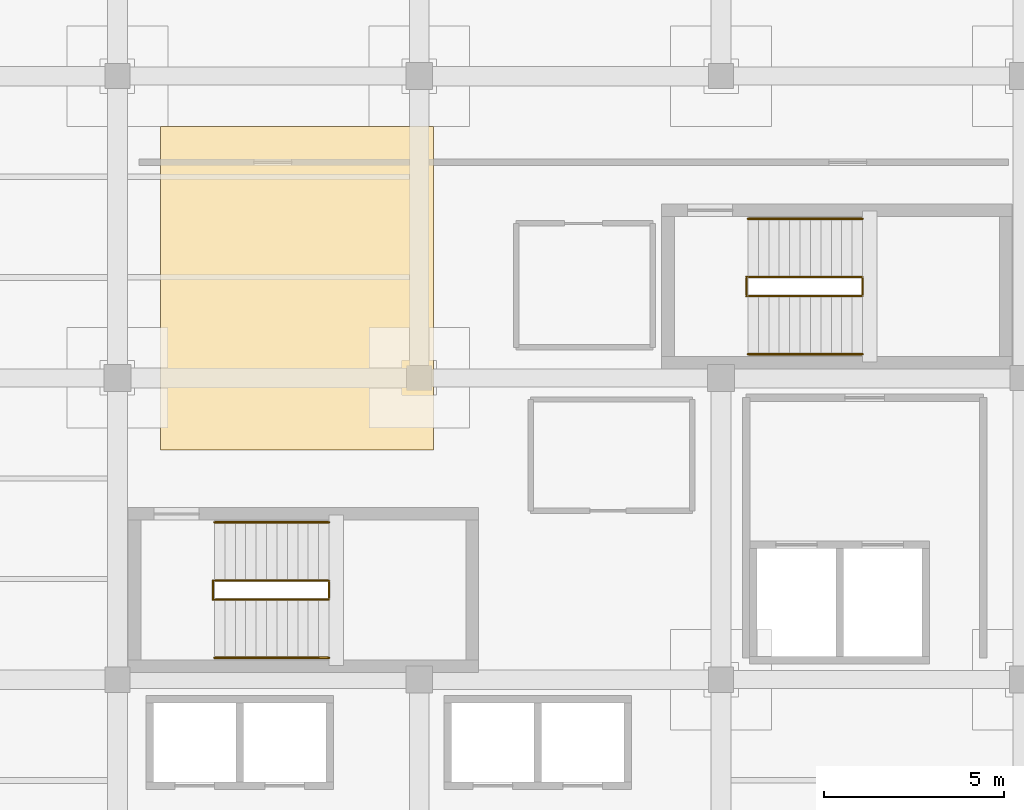
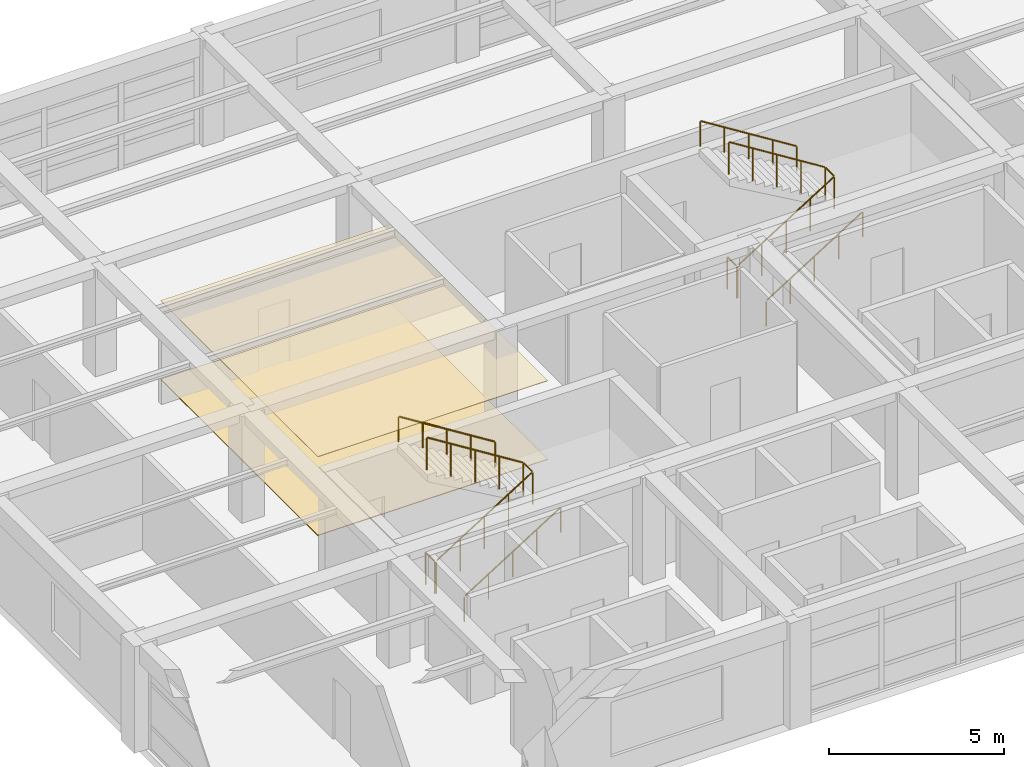
# One storey, part 26 of 26: 8 railings, 2 coverings.
"""IFC4 building model written with IfcOpenShell, lengths in metres."""

from ifc_helpers import new_model, si_unit, direction, frame, origin, origin_2d, place, context, subcontext, project, spatial, polyline, circle, outline, extrude, material, layer, layer_set, type_object, element, save


model = new_model("IFC4")

# Units and contexts
model_context = context("Model", 3, precision=1e-05, world=origin(), true_north=direction((0.0, 1.0)))
body_context = subcontext(model_context, "Body", "Model", "MODEL_VIEW")
ifc_project = project(units=[si_unit("LENGTHUNIT", "METRE"), si_unit("AREAUNIT", "SQUARE_METRE"), si_unit("VOLUMEUNIT", "CUBIC_METRE"), si_unit("PLANEANGLEUNIT", "RADIAN"), si_unit("MASSUNIT", "GRAM", prefix="KILO")], contexts=[model_context])

# Site, building, storey
site_placement = place(None, origin())
site = spatial("IfcSite", under=ifc_project, at=site_placement, CompositionType="ELEMENT")
building_placement = place(site_placement, origin())
building = spatial("IfcBuilding", under=site, at=building_placement, Name="Almacenes y Pasaje Nevantli", CompositionType="ELEMENT")
storey_placement = place(building_placement, frame((0.0, 0.0, 30.699951171875)))
storey = spatial("IfcBuildingStorey", under=building, at=storey_placement, Name="L07", CompositionType="ELEMENT", Elevation=30.699951171875)

# Coverings
ifc_material_1 = material(Name="Perforated Acoustic Mineral Fiber Ceiling", Category="gypsum")
ifc_layer_1 = layer(ifc_material_1, 0.02001953125)
ifc_layer_set_1 = layer_set([ifc_layer_1], Name="Perforated Acoustic Mineral Fiber Ceiling")
covering_type_1 = type_object("IfcCoveringType", Name="COV-CEIL-ACU", PredefinedType="CEILING", material=ifc_layer_set_1)
covering_1_placement = place(storey_placement, frame((0.0, 0.0, 2.75)))
element("IfcCovering", 1, at=covering_1_placement, inside=storey, type_object=covering_type_1, Name="L07 Suspended Acoustic Ceiling Panel", PredefinedType="CEILING", context=body_context, shape_type="SweptSolid", body=[
    extrude(outline(polyline([(118.800048828125, 82.0), (126.39990234375, 82.0), (126.39990234375, 91.0), (118.800048828125, 91.0), (118.800048828125, 82.0)])), origin(), (0.0, 0.0, 1.0), 0.02001953125),
])
ifc_material_2 = material(Name="Polished Toluca Stone Terrazzo Flooring", Category="masonry")
ifc_layer_2 = layer(ifc_material_2, 0.02490234375)
ifc_layer_set_2 = layer_set([ifc_layer_2], Name="Polished Toluca Stone Terrazzo Flooring")
covering_type_2 = type_object("IfcCoveringType", Name="COV-FLR-TERRAZZO", PredefinedType="FLOORING", material=ifc_layer_set_2)
covering_2_placement = place(storey_placement, origin())
element("IfcCovering", 2, at=covering_2_placement, inside=storey, type_object=covering_type_2, Name="L07 Polished Stone Terrazzo Floor Finish", PredefinedType="FLOORING", context=body_context, shape_type="SweptSolid", body=[
    extrude(outline(polyline([(118.800048828125, 82.0), (126.39990234375, 82.0), (126.39990234375, 91.0), (118.800048828125, 91.0), (118.800048828125, 82.0)])), origin(), (0.0, 0.0, 1.0), 0.025146484375),
])

# Railings
ifc_material_3 = material(Name="Brushed Stainless Steel and Tempered Safety Glass", Category="steel")
railing_type_1 = type_object("IfcRailingType", Name="RL-GUARD-1100", PredefinedType="BALUSTRADE", material=ifc_material_3)
railing_1_placement = place(storey_placement, frame((120.300048828125, 77.830078125, 0.0)))
element("IfcRailing", 3, at=railing_1_placement, inside=storey, type_object=railing_type_1, Name="L07 Stair ST-01 Inner Well Guard Balustrade", PredefinedType="BALUSTRADE", context=body_context, shape_type="SweptSolid", body=[
    extrude(circle(Radius=0.02392578125, at=origin_2d()), frame((0.025390625, 0.0, 1.141845703125), z_axis=(0.847247016309, 0.0, 0.531199108955), x_axis=(0.0, 1.0, 0.0)), (0.0, 0.0, 1.0), 3.705078125),
    extrude(circle(Radius=0.02392578125, at=origin_2d()), frame((3.18994140625, 0.030029296875, 3.1259765625), z_axis=(0.0, 1.0, 0.0), x_axis=(-1.0, 0.0, 0.0)), (0.0, 0.0, 1.0), 0.469970703125),
    extrude(circle(Radius=0.02392578125, at=origin_2d()), frame((3.16455078125, 0.530029296875, 3.141845703125), z_axis=(-0.847247016309, 0.0, 0.531199108955), x_axis=(0.0, -1.0, 0.0)), (0.0, 0.0, 1.0), 3.705078125),
    extrude(circle(Radius=0.02099609375, at=origin_2d()), origin(), (0.0, 0.0, 1.0), 1.096923828125),
    extrude(circle(Radius=0.02099609375, at=origin_2d()), frame((0.79736328125, 0.0, 0.5)), (0.0, 0.0, 1.0), 1.096923828125),
    extrude(circle(Radius=0.02099609375, at=origin_2d()), frame((1.594970703125, 0.0, 1.0)), (0.0, 0.0, 1.0), 1.096923828125),
    extrude(circle(Radius=0.02099609375, at=origin_2d()), frame((2.392578125, 0.0, 1.5)), (0.0, 0.0, 1.0), 1.096923828125),
    extrude(circle(Radius=0.02099609375, at=origin_2d()), frame((3.18994140625, 0.0, 2.0)), (0.0, 0.0, 1.0), 1.096923828125),
    extrude(circle(Radius=0.02099609375, at=origin_2d()), frame((3.18994140625, 0.530029296875, 2.0)), (0.0, 0.0, 1.0), 1.096923828125),
    extrude(circle(Radius=0.02099609375, at=origin_2d()), frame((2.392578125, 0.530029296875, 2.5)), (0.0, 0.0, 1.0), 1.096923828125),
    extrude(circle(Radius=0.02099609375, at=origin_2d()), frame((1.594970703125, 0.530029296875, 3.0)), (0.0, 0.0, 1.0), 1.096923828125),
    extrude(circle(Radius=0.02099609375, at=origin_2d()), frame((0.79736328125, 0.530029296875, 3.5)), (0.0, 0.0, 1.0), 1.096923828125),
    extrude(circle(Radius=0.02099609375, at=origin_2d()), frame((0.0, 0.530029296875, 4.0)), (0.0, 0.0, 1.0), 1.096923828125),
])
railing_2_placement = place(storey_placement, frame((120.260009765625, 77.830078125, 0.0)))
element("IfcRailing", 4, at=railing_2_placement, inside=storey, type_object=railing_type_1, Name="L07 Stair ST-01 Landing Well Slot Guard", PredefinedType="BALUSTRADE", context=body_context, shape_type="SweptSolid", body=[
    extrude(circle(Radius=0.02392578125, at=origin_2d()), frame((0.0, 0.030029296875, 1.1259765625), z_axis=(0.0, 1.0, 0.0), x_axis=(-1.0, 0.0, 0.0)), (0.0, 0.0, 1.0), 0.469970703125),
    extrude(circle(Radius=0.02099609375, at=origin_2d()), origin(), (0.0, 0.0, 1.0), 1.096923828125),
    extrude(circle(Radius=0.02099609375, at=origin_2d()), frame((0.0, 0.530029296875, 0.0)), (0.0, 0.0, 1.0), 1.096923828125),
])
railing_3_placement = place(storey_placement, frame((135.14990234375, 86.280029296875, 0.0)))
element("IfcRailing", 5, at=railing_3_placement, inside=storey, type_object=railing_type_1, Name="L07 Stair ST-02 Inner Well Guard Balustrade", PredefinedType="BALUSTRADE", context=body_context, shape_type="SweptSolid", body=[
    extrude(circle(Radius=0.02392578125, at=origin_2d()), frame((0.025390625, 0.0, 1.141845703125), z_axis=(0.847265311894, 0.0, 0.531169926918), x_axis=(0.0, 1.0, 0.0)), (0.0, 0.0, 1.0), 3.705322265625),
    extrude(circle(Radius=0.02392578125, at=origin_2d()), frame((3.190185546875, 0.030029296875, 3.1259765625), z_axis=(0.0, 1.0, 0.0), x_axis=(-1.0, 0.0, 0.0)), (0.0, 0.0, 1.0), 0.469970703125),
    extrude(circle(Radius=0.02392578125, at=origin_2d()), frame((3.164794921875, 0.530029296875, 3.141845703125), z_axis=(-0.847265311894, 0.0, 0.531169926918), x_axis=(0.0, -1.0, 0.0)), (0.0, 0.0, 1.0), 3.705322265625),
    extrude(circle(Radius=0.02099609375, at=origin_2d()), origin(), (0.0, 0.0, 1.0), 1.096923828125),
    extrude(circle(Radius=0.02099609375, at=origin_2d()), frame((0.797607421875, 0.0, 0.5)), (0.0, 0.0, 1.0), 1.096923828125),
    extrude(circle(Radius=0.02099609375, at=origin_2d()), frame((1.59521484375, 0.0, 1.0)), (0.0, 0.0, 1.0), 1.096923828125),
    extrude(circle(Radius=0.02099609375, at=origin_2d()), frame((2.392578125, 0.0, 1.5)), (0.0, 0.0, 1.0), 1.096923828125),
    extrude(circle(Radius=0.02099609375, at=origin_2d()), frame((3.190185546875, 0.0, 2.0)), (0.0, 0.0, 1.0), 1.096923828125),
    extrude(circle(Radius=0.02099609375, at=origin_2d()), frame((3.190185546875, 0.530029296875, 2.0)), (0.0, 0.0, 1.0), 1.096923828125),
    extrude(circle(Radius=0.02099609375, at=origin_2d()), frame((2.392578125, 0.530029296875, 2.5)), (0.0, 0.0, 1.0), 1.096923828125),
    extrude(circle(Radius=0.02099609375, at=origin_2d()), frame((1.59521484375, 0.530029296875, 3.0)), (0.0, 0.0, 1.0), 1.096923828125),
    extrude(circle(Radius=0.02099609375, at=origin_2d()), frame((0.797607421875, 0.530029296875, 3.5)), (0.0, 0.0, 1.0), 1.096923828125),
    extrude(circle(Radius=0.02099609375, at=origin_2d()), frame((0.0, 0.530029296875, 4.0)), (0.0, 0.0, 1.0), 1.096923828125),
])
railing_4_placement = place(storey_placement, frame((135.110107421875, 86.280029296875, 0.0)))
element("IfcRailing", 6, at=railing_4_placement, inside=storey, type_object=railing_type_1, Name="L07 Stair ST-02 Landing Well Slot Guard", PredefinedType="BALUSTRADE", context=body_context, shape_type="SweptSolid", body=[
    extrude(circle(Radius=0.02392578125, at=origin_2d()), frame((0.0, 0.030029296875, 1.1259765625), z_axis=(0.0, 1.0, 0.0), x_axis=(-1.0, 0.0, 0.0)), (0.0, 0.0, 1.0), 0.469970703125),
    extrude(circle(Radius=0.02099609375, at=origin_2d()), origin(), (0.0, 0.0, 1.0), 1.096923828125),
    extrude(circle(Radius=0.02099609375, at=origin_2d()), frame((0.0, 0.530029296875, 0.0)), (0.0, 0.0, 1.0), 1.096923828125),
])
ifc_material_4 = material(Name="Brushed Stainless Steel Tube", Category="steel")
railing_type_2 = type_object("IfcRailingType", Name="RL-HANDRAIL-900", PredefinedType="HANDRAIL", material=ifc_material_4)
railing_5_placement = place(storey_placement, frame((120.300048828125, 76.2099609375, 0.0)))
element("IfcRailing", 7, at=railing_5_placement, inside=storey, type_object=railing_type_2, Name="L07 Stair ST-01 Lower Flight Handrail", PredefinedType="HANDRAIL", context=body_context, shape_type="SweptSolid", body=[
    extrude(circle(Radius=0.02392578125, at=origin_2d()), frame((0.025390625, 0.0, 0.891845703125), z_axis=(0.847247016309, 0.0, 0.531199108955), x_axis=(0.0, 1.0, 0.0)), (0.0, 0.0, 1.0), 3.705078125),
    extrude(circle(Radius=0.02099609375, at=origin_2d()), origin(), (0.0, 0.0, 1.0), 0.846923828125),
    extrude(circle(Radius=0.02099609375, at=origin_2d()), frame((0.79736328125, 0.0, 0.5)), (0.0, 0.0, 1.0), 0.846923828125),
    extrude(circle(Radius=0.02099609375, at=origin_2d()), frame((1.594970703125, 0.0, 1.0)), (0.0, 0.0, 1.0), 0.846923828125),
    extrude(circle(Radius=0.02099609375, at=origin_2d()), frame((2.392578125, 0.0, 1.5)), (0.0, 0.0, 1.0), 0.846923828125),
    extrude(circle(Radius=0.02099609375, at=origin_2d()), frame((3.18994140625, 0.0, 2.0)), (0.0, 0.0, 1.0), 0.846923828125),
])
railing_6_placement = place(storey_placement, frame((123.489990234375, 79.97998046875, 2.0)))
element("IfcRailing", 8, at=railing_6_placement, inside=storey, type_object=railing_type_2, Name="L07 Stair ST-01 Upper Flight Handrail", PredefinedType="HANDRAIL", context=body_context, shape_type="SweptSolid", body=[
    extrude(circle(Radius=0.02392578125, at=origin_2d()), frame((-0.025390625, 0.0, 0.891845703125), z_axis=(-0.847247016309, 0.0, 0.531199108955), x_axis=(0.0, -1.0, 0.0)), (0.0, 0.0, 1.0), 3.705078125),
    extrude(circle(Radius=0.02099609375, at=origin_2d()), origin(), (0.0, 0.0, 1.0), 0.846923828125),
    extrude(circle(Radius=0.02099609375, at=origin_2d()), frame((-0.79736328125, 0.0, 0.5)), (0.0, 0.0, 1.0), 0.846923828125),
    extrude(circle(Radius=0.02099609375, at=origin_2d()), frame((-1.594970703125, 0.0, 1.0)), (0.0, 0.0, 1.0), 0.846923828125),
    extrude(circle(Radius=0.02099609375, at=origin_2d()), frame((-2.392578125, 0.0, 1.5)), (0.0, 0.0, 1.0), 0.846923828125),
    extrude(circle(Radius=0.02099609375, at=origin_2d()), frame((-3.18994140625, 0.0, 2.0)), (0.0, 0.0, 1.0), 0.846923828125),
])
railing_7_placement = place(storey_placement, frame((135.14990234375, 84.659912109375, 0.0)))
element("IfcRailing", 9, at=railing_7_placement, inside=storey, type_object=railing_type_2, Name="L07 Stair ST-02 Lower Flight Handrail", PredefinedType="HANDRAIL", context=body_context, shape_type="SweptSolid", body=[
    extrude(circle(Radius=0.02392578125, at=origin_2d()), frame((0.025390625, 0.0, 0.891845703125), z_axis=(0.847265311894, 0.0, 0.531169926918), x_axis=(0.0, 1.0, 0.0)), (0.0, 0.0, 1.0), 3.705322265625),
    extrude(circle(Radius=0.02099609375, at=origin_2d()), origin(), (0.0, 0.0, 1.0), 0.846923828125),
    extrude(circle(Radius=0.02099609375, at=origin_2d()), frame((0.797607421875, 0.0, 0.5)), (0.0, 0.0, 1.0), 0.846923828125),
    extrude(circle(Radius=0.02099609375, at=origin_2d()), frame((1.59521484375, 0.0, 1.0)), (0.0, 0.0, 1.0), 0.846923828125),
    extrude(circle(Radius=0.02099609375, at=origin_2d()), frame((2.392578125, 0.0, 1.5)), (0.0, 0.0, 1.0), 0.846923828125),
    extrude(circle(Radius=0.02099609375, at=origin_2d()), frame((3.190185546875, 0.0, 2.0)), (0.0, 0.0, 1.0), 0.846923828125),
])
railing_8_placement = place(storey_placement, frame((138.340087890625, 88.429931640625, 2.0)))
element("IfcRailing", 10, at=railing_8_placement, inside=storey, type_object=railing_type_2, Name="L07 Stair ST-02 Upper Flight Handrail", PredefinedType="HANDRAIL", context=body_context, shape_type="SweptSolid", body=[
    extrude(circle(Radius=0.02392578125, at=origin_2d()), frame((-0.025390625, 0.0, 0.891845703125), z_axis=(-0.847265311894, 0.0, 0.531169926918), x_axis=(0.0, -1.0, 0.0)), (0.0, 0.0, 1.0), 3.705322265625),
    extrude(circle(Radius=0.02099609375, at=origin_2d()), origin(), (0.0, 0.0, 1.0), 0.846923828125),
    extrude(circle(Radius=0.02099609375, at=origin_2d()), frame((-0.797607421875, 0.0, 0.5)), (0.0, 0.0, 1.0), 0.846923828125),
    extrude(circle(Radius=0.02099609375, at=origin_2d()), frame((-1.59521484375, 0.0, 1.0)), (0.0, 0.0, 1.0), 0.846923828125),
    extrude(circle(Radius=0.02099609375, at=origin_2d()), frame((-2.392578125, 0.0, 1.5)), (0.0, 0.0, 1.0), 0.846923828125),
    extrude(circle(Radius=0.02099609375, at=origin_2d()), frame((-3.190185546875, 0.0, 2.0)), (0.0, 0.0, 1.0), 0.846923828125),
])

save(model, "model.ifc")
